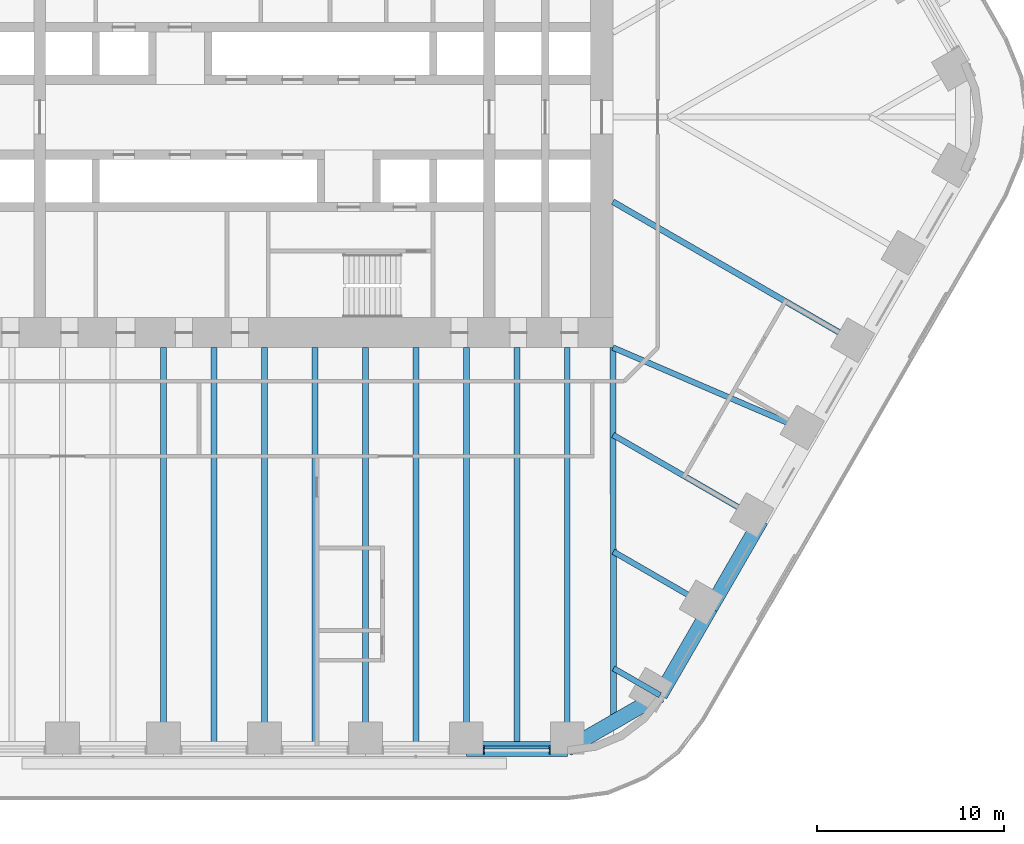
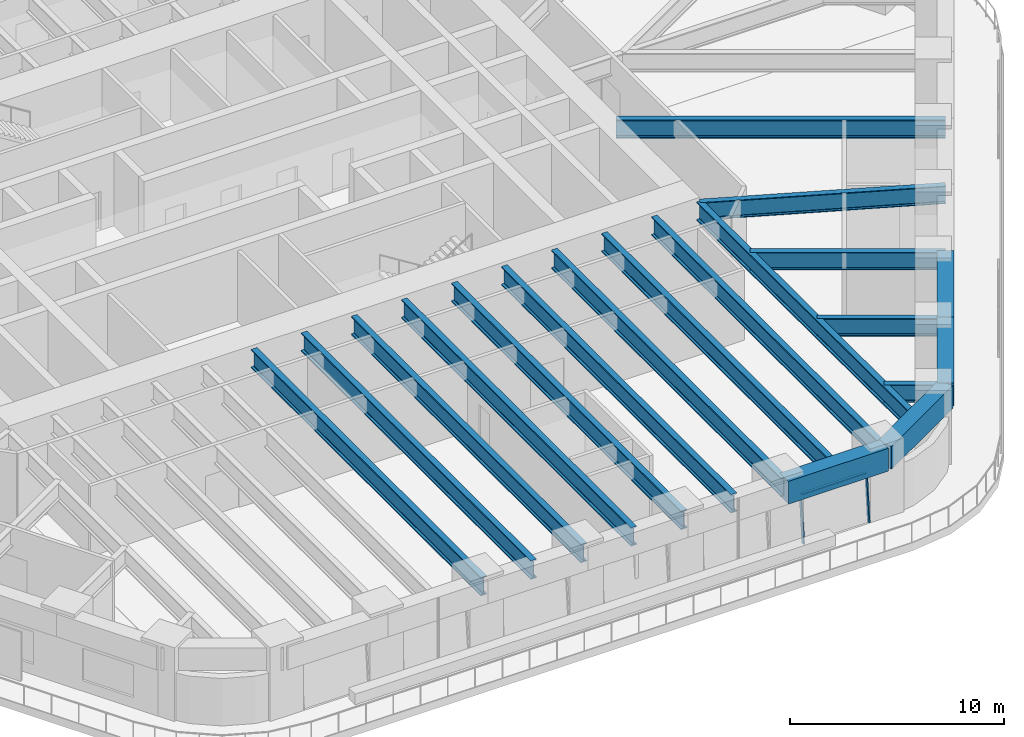
# One storey, part 5 of 23: 19 beams, 3 members, 1 element without a shape of its own.
"""IFC4 building model written with IfcOpenShell, lengths in metres."""

from ifc_helpers import new_model, si_unit, direction, frame, origin, origin_2d, place, context, subcontext, project, spatial, rectangle, i_section, extrude, material, material_profile, profile_set, type_object, element, aggregate, save


model = new_model("IFC4")

# Units and contexts
model_context = context("Model", 3, precision=1e-05, world=origin(), true_north=direction((0.0, 1.0)))
body_context = subcontext(model_context, "Body", "Model", "MODEL_VIEW")
ifc_project = project(units=[si_unit("LENGTHUNIT", "METRE"), si_unit("AREAUNIT", "SQUARE_METRE"), si_unit("VOLUMEUNIT", "CUBIC_METRE"), si_unit("PLANEANGLEUNIT", "RADIAN"), si_unit("MASSUNIT", "GRAM", prefix="KILO")], contexts=[model_context])

# Site, building, storey
site_placement = place(None, origin())
site = spatial("IfcSite", under=ifc_project, at=site_placement, CompositionType="ELEMENT")
building_placement = place(site_placement, origin())
building = spatial("IfcBuilding", under=site, at=building_placement, Name="Tarfa Lantern Tower", CompositionType="ELEMENT")
storey_placement = place(building_placement, frame((0.0, 0.0, 86.5)))
storey = spatial("IfcBuildingStorey", under=building, at=storey_placement, Name="L19", CompositionType="ELEMENT", Elevation=86.5)

# Curtain wall, members
ifc_material_1 = material(Name="Aluminium framed curtain wall", Category="aluminium")
curtain_wall_type = type_object("IfcCurtainWallType", Name="CW1 CANTED GLAZING LOW ZONE 2700", PredefinedType="USERDEFINED", material=ifc_material_1)
curtain_wall_placement = place(storey_placement, origin())
curtain_wall = element("IfcCurtainWall", 1, at=curtain_wall_placement, inside=storey, type_object=curtain_wall_type, Name="CW1 S L19", ObjectType="CURTAIN WALL", PredefinedType="USERDEFINED")
ifc_material_2 = material(Name="Aluminium mullion", Category="aluminium")
ifc_material_profile_1 = material_profile(ifc_material_2, rectangle(XDim=0.06494140625, YDim=0.199951171875, at=origin_2d()), Name="AL MULLION 65x200")
ifc_profile_set_1 = profile_set([ifc_material_profile_1], Name="Aluminium mullion")
member_type_1 = type_object("IfcMemberType", Name="CWM1 MULLION 65x200", PredefinedType="MULLION", material=ifc_profile_set_1)
member_1_placement = place(storey_placement, frame((11.709716796875, -33.89990234375, 0.0), z_axis=(0.0, 0.092199863775, 0.995740520979), x_axis=(-1.0, 0.0, 0.0)))
member_1 = element("IfcMember", 2, at=member_1_placement, type_object=member_type_1, Name="CW1 mullion 1", PredefinedType="MULLION", context=body_context, shape_type="SweptSolid", body=[
    extrude(rectangle(XDim=0.06494140625, YDim=0.199951171875, at=origin_2d()), origin(), (0.0, 0.0, 1.0), 2.71142578125),
])
member_2_placement = place(storey_placement, frame((15.2333984375, -33.89990234375, 0.0), z_axis=(0.0, 0.092199863775, 0.995740520979), x_axis=(-1.0, 0.0, 0.0)))
member_2 = element("IfcMember", 3, at=member_2_placement, type_object=member_type_1, Name="CW1 mullion 2", PredefinedType="MULLION", context=body_context, shape_type="SweptSolid", body=[
    extrude(rectangle(XDim=0.06494140625, YDim=0.199951171875, at=origin_2d()), origin(), (0.0, 0.0, 1.0), 2.71142578125),
])
ifc_material_3 = material(Name="Aluminium transom", Category="aluminium")
ifc_material_profile_2 = material_profile(ifc_material_3, rectangle(XDim=0.14990234375, YDim=0.06494140625, at=origin_2d()), Name="AL TRANSOM 150x65")
ifc_profile_set_2 = profile_set([ifc_material_profile_2], Name="Aluminium transom")
member_type_2 = type_object("IfcMemberType", Name="CWT1 TRANSOM 150x65", PredefinedType="USERDEFINED", material=ifc_profile_set_2)
member_3_placement = place(storey_placement, frame((11.7421875, -33.653076171875, 2.66748046875), z_axis=(1.0, 0.0, 0.0), x_axis=(0.0, 1.0, 0.0)))
member_3 = element("IfcMember", 4, at=member_3_placement, type_object=member_type_2, Name="CW1 transom 1.2", ObjectType="TRANSOM", PredefinedType="USERDEFINED", context=body_context, shape_type="SweptSolid", body=[
    extrude(rectangle(XDim=0.14990234375, YDim=0.06494140625, at=origin_2d()), origin(), (0.0, 0.0, 1.0), 3.458740234375),
])
aggregate(curtain_wall, [member_1, member_2, member_3])

# Beams
ifc_material_4 = material(Name="Concrete C80/95", Category="concrete")
ifc_material_profile_3 = material_profile(ifc_material_4, rectangle(XDim=0.800048828125, YDim=1.300048828125, at=origin_2d()), Name="RC 800x1300")
ifc_profile_set_3 = profile_set([ifc_material_profile_3], Name="Concrete C80/95")
beam_type_1 = type_object("IfcBeamType", Name="EB1 RC 800x1300", PredefinedType="SPANDREL", material=ifc_profile_set_3)
beam_1_placement = place(storey_placement, frame((10.777099609375, -33.719970703125, 3.35009765625), z_axis=(1.0, 0.0, 0.0), x_axis=(0.0, 1.0, 0.0)))
element("IfcBeam", 5, at=beam_1_placement, inside=storey, type_object=beam_type_1, Name="Edge beam S5", PredefinedType="SPANDREL", context=body_context, shape_type="SweptSolid", body=[
    extrude(rectangle(XDim=0.800048828125, YDim=1.300048828125, at=origin_2d()), origin(), (0.0, 0.0, 1.0), 5.388671875),
])
beam_2_placement = place(storey_placement, frame((16.165771484375, -33.719970703125, 3.35009765625), z_axis=(0.866033479681, 0.499986011877, 0.0), x_axis=(-0.499986011877, 0.866033479681, 0.0)))
element("IfcBeam", 6, at=beam_2_placement, inside=storey, type_object=beam_type_1, Name="Edge beam S6", PredefinedType="SPANDREL", context=body_context, shape_type="SweptSolid", body=[
    extrude(rectangle(XDim=0.800048828125, YDim=1.300048828125, at=origin_2d()), origin(), (0.0, 0.0, 1.0), 5.719970703125),
])
for number, where, z_axis, x_axis, name in (
    (7, (21.119384765625, -30.860107421875, 3.35009765625), (0.499998287579, 0.866026392449, 0.0), (-0.866026392449, 0.499998287579, 0.0), "Edge beam SE0"),
    (8, (23.813720703125, -26.193359375, 3.35009765625), (0.499998287579, 0.866026392449, 0.0), (-0.866026392449, 0.499998287579, 0.0), "Edge beam SE1"),
):
    element("IfcBeam", number, at=place(storey_placement, frame(where, z_axis=z_axis, x_axis=x_axis)), inside=storey, type_object=beam_type_1, Name=name, PredefinedType="SPANDREL", context=body_context, shape_type="SweptSolid", body=[
        extrude(rectangle(XDim=0.800048828125, YDim=1.300048828125, at=origin_2d()), origin(), (0.0, 0.0, 1.0), 5.388671875),
    ])
ifc_material_5 = material(Name="Steel S460M", Category="steel")
ifc_material_profile_4 = material_profile(ifc_material_5, i_section(OverallWidth=0.302001953125, OverallDepth=1.008056640625, WebThickness=0.02099609375, FlangeThickness=0.0400390625, FilletRadius=0.030029296875, at=origin_2d()), Name="UB1016x305x349")
ifc_profile_set_4 = profile_set([ifc_material_profile_4], Name="Steel S460M")
beam_type_2 = type_object("IfcBeamType", Name="UB1016x305x349", PredefinedType="BEAM", material=ifc_profile_set_4)
beam_3_placement = place(storey_placement, frame((21.119384765625, -30.860107421875, 3.495849609375), z_axis=(-0.866012580594, 0.500022209759, 0.0), x_axis=(-0.500022209759, -0.866012580594, 0.0)))
element("IfcBeam", 9, at=beam_3_placement, inside=storey, type_object=beam_type_2, Name="Floor beam SE0", PredefinedType="BEAM", context=body_context, shape_type="SweptSolid", body=[
    extrude(i_section(OverallWidth=0.302001953125, OverallDepth=1.008056640625, WebThickness=0.02099609375, FlangeThickness=0.0400390625, FilletRadius=0.030029296875, at=origin_2d()), origin(), (0.0, 0.0, 1.0), 2.866943359375),
])
beam_4_placement = place(storey_placement, frame((23.813720703125, -26.193359375, 3.495849609375), z_axis=(-0.866015997389, 0.500016292001, 0.0), x_axis=(-0.500016292001, -0.866015997389, 0.0)))
element("IfcBeam", 10, at=beam_4_placement, inside=storey, type_object=beam_type_2, Name="Floor beam SE1", PredefinedType="BEAM", context=body_context, shape_type="SweptSolid", body=[
    extrude(i_section(OverallWidth=0.302001953125, OverallDepth=1.008056640625, WebThickness=0.02099609375, FlangeThickness=0.0400390625, FilletRadius=0.030029296875, at=origin_2d()), origin(), (0.0, 0.0, 1.0), 5.993408203125),
])
beam_5_placement = place(storey_placement, frame((26.508056640625, -21.526611328125, 3.495849609375), z_axis=(-0.866035355799, 0.49998276221, 0.0), x_axis=(-0.49998276221, -0.866035355799, 0.0)))
element("IfcBeam", 11, at=beam_5_placement, inside=storey, type_object=beam_type_2, Name="Floor beam SE2", PredefinedType="BEAM", context=body_context, shape_type="SweptSolid", body=[
    extrude(i_section(OverallWidth=0.302001953125, OverallDepth=1.008056640625, WebThickness=0.02099609375, FlangeThickness=0.0400390625, FilletRadius=0.030029296875, at=origin_2d()), origin(), (0.0, 0.0, 1.0), 9.119873046875),
])
beam_6_placement = place(storey_placement, frame((29.202392578125, -16.860107421875, 3.495849609375), z_axis=(-0.918635483867, 0.395106122175, 0.0), x_axis=(-0.395106122175, -0.918635483867, 0.0)))
element("IfcBeam", 12, at=beam_6_placement, inside=storey, type_object=beam_type_2, Name="Floor beam SE3", PredefinedType="BEAM", context=body_context, shape_type="SweptSolid", body=[
    extrude(i_section(OverallWidth=0.302001953125, OverallDepth=1.008056640625, WebThickness=0.02099609375, FlangeThickness=0.0400390625, FilletRadius=0.030029296875, at=origin_2d()), origin(), (0.0, 0.0, 1.0), 11.541259765625),
])
ifc_material_profile_5 = material_profile(ifc_material_5, i_section(OverallWidth=0.314208984375, OverallDepth=1.055908203125, WebThickness=0.035888671875, FlangeThickness=0.06396484375, FilletRadius=0.030029296875, at=origin_2d()), Name="UB1016x305x584")
ifc_profile_set_5 = profile_set([ifc_material_profile_5], Name="Steel S460M")
beam_type_3 = type_object("IfcBeamType", Name="UB1016x305x584", PredefinedType="BEAM", material=ifc_profile_set_5)
beam_7_placement = place(storey_placement, frame((18.60009765625, -12.300048828125, 3.471923828125), z_axis=(0.00212508222, -0.99999774201, 0.0), x_axis=(0.99999774201, 0.00212508222, 0.0)))
element("IfcBeam", 13, at=beam_7_placement, inside=storey, type_object=beam_type_3, Name="Hip girder SE", PredefinedType="BEAM", context=body_context, shape_type="SweptSolid", body=[
    extrude(i_section(OverallWidth=0.314208984375, OverallDepth=1.055908203125, WebThickness=0.035888671875, FlangeThickness=0.06396484375, FilletRadius=0.030029296875, at=origin_2d()), origin(), (0.0, 0.0, 1.0), 19.989990234375),
])
for number, where, z_axis, x_axis, name in (
    (14, (-5.388671875, -33.719970703125, 3.471923828125), (0.0, 1.0, 0.0), (-1.0, 0.0, 0.0), "Floor beam S2"),
    (15, (0.0, -33.719970703125, 3.471923828125), (0.0, 1.0, 0.0), (-1.0, 0.0, 0.0), "Floor beam S3"),
    (16, (5.388671875, -33.719970703125, 3.471923828125), (0.0, 1.0, 0.0), (-1.0, 0.0, 0.0), "Floor beam S4"),
    (17, (10.777099609375, -33.719970703125, 3.471923828125), (0.0, 1.0, 0.0), (-1.0, 0.0, 0.0), "Floor beam S5"),
    (18, (16.165771484375, -33.719970703125, 3.471923828125), (0.0, 1.0, 0.0), (-1.0, 0.0, 0.0), "Floor beam S6"),
):
    element("IfcBeam", number, at=place(storey_placement, frame(where, z_axis=z_axis, x_axis=x_axis)), inside=storey, type_object=beam_type_3, Name=name, PredefinedType="BEAM", context=body_context, shape_type="SweptSolid", body=[
        extrude(i_section(OverallWidth=0.314208984375, OverallDepth=1.055908203125, WebThickness=0.035888671875, FlangeThickness=0.06396484375, FilletRadius=0.030029296875, at=origin_2d()), origin(), (0.0, 0.0, 1.0), 21.419921875),
    ])
beam_8_placement = place(storey_placement, frame((31.896728515625, -12.193359375, 3.471923828125), z_axis=(-0.866026971665, 0.499997284341, 0.0), x_axis=(-0.499997284341, -0.866026971665, 0.0)))
element("IfcBeam", 19, at=beam_8_placement, inside=storey, type_object=beam_type_3, Name="Floor beam SE4", PredefinedType="BEAM", context=body_context, shape_type="SweptSolid", body=[
    extrude(i_section(OverallWidth=0.314208984375, OverallDepth=1.055908203125, WebThickness=0.035888671875, FlangeThickness=0.06396484375, FilletRadius=0.030029296875, at=origin_2d()), origin(), (0.0, 0.0, 1.0), 15.353515625),
])
for number, where, z_axis, x_axis, name in (
    (20, (-2.6943359375, -33.719970703125, 3.471923828125), (0.0, 1.0, 0.0), (-1.0, 0.0, 0.0), "Floor beam S2M"),
    (21, (2.6943359375, -33.719970703125, 3.471923828125), (0.0, 1.0, 0.0), (-1.0, 0.0, 0.0), "Floor beam S3M"),
    (22, (8.0830078125, -33.719970703125, 3.471923828125), (0.0, 1.0, 0.0), (-1.0, 0.0, 0.0), "Floor beam S4M"),
    (23, (13.471435546875, -33.719970703125, 3.471923828125), (0.0, 1.0, 0.0), (-1.0, 0.0, 0.0), "Floor beam S5M"),
):
    element("IfcBeam", number, at=place(storey_placement, frame(where, z_axis=z_axis, x_axis=x_axis)), inside=storey, type_object=beam_type_3, Name=name, PredefinedType="BEAM", context=body_context, shape_type="SweptSolid", body=[
        extrude(i_section(OverallWidth=0.314208984375, OverallDepth=1.055908203125, WebThickness=0.035888671875, FlangeThickness=0.06396484375, FilletRadius=0.030029296875, at=origin_2d()), origin(), (0.0, 0.0, 1.0), 21.419921875),
    ])

save(model, "model.ifc")
